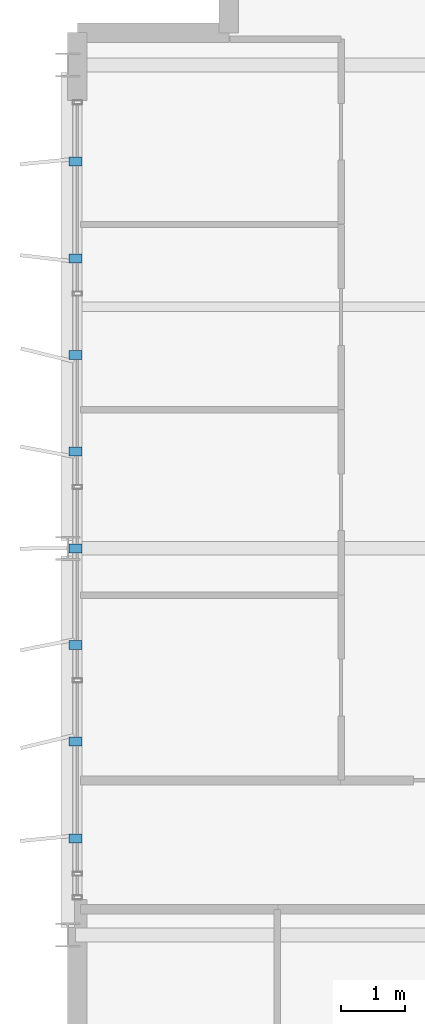
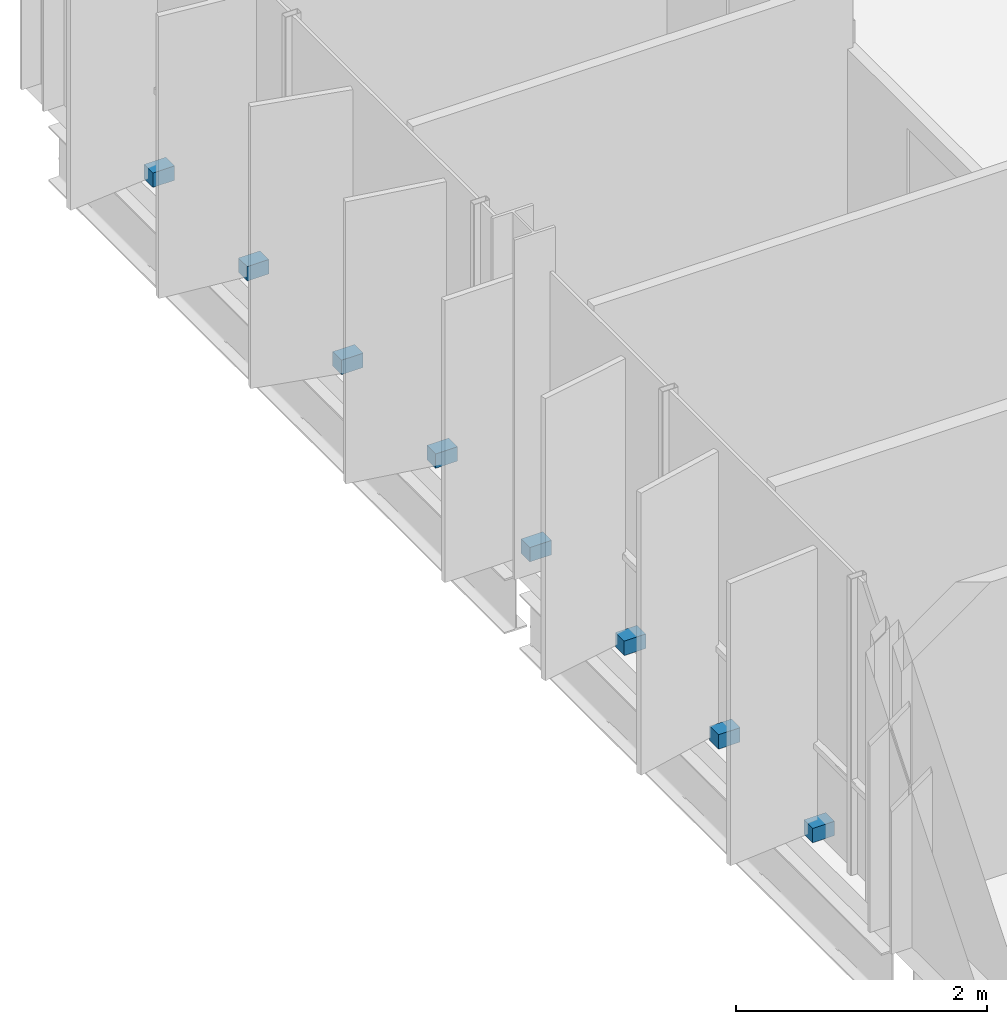
# One storey, part 27 of 30: 8 discrete accessories.
"""IFC4 building model written with IfcOpenShell, lengths in metres."""

from ifc_helpers import new_model, si_unit, direction, frame, origin, origin_2d, place, context, subcontext, project, spatial, rectangle, extrude, material, type_object, element, save


model = new_model("IFC4")

# Units and contexts
model_context = context("Model", 3, precision=1e-05, world=origin(), true_north=direction((0.0, 1.0)))
body_context = subcontext(model_context, "Body", "Model", "MODEL_VIEW")
ifc_project = project(units=[si_unit("LENGTHUNIT", "METRE"), si_unit("AREAUNIT", "SQUARE_METRE"), si_unit("VOLUMEUNIT", "CUBIC_METRE"), si_unit("PLANEANGLEUNIT", "RADIAN"), si_unit("MASSUNIT", "GRAM", prefix="KILO")], contexts=[model_context])

# Site, building, storey
site_placement = place(None, origin())
site = spatial("IfcSite", under=ifc_project, at=site_placement, CompositionType="ELEMENT")
building_placement = place(site_placement, origin())
building = spatial("IfcBuilding", under=site, at=building_placement, Name="Brevholm Reach", CompositionType="ELEMENT")
storey_placement = place(building_placement, frame((0.0, 0.0, 211.10009765625)))
storey = spatial("IfcBuildingStorey", under=building, at=storey_placement, Name="L64", CompositionType="ELEMENT", Elevation=211.10009765625)

# Discrete accessories
ifc_material = material(Name="Duplex Stainless Steel EN 1.4462", Category="steel")
discrete_accessory_type = type_object("IfcDiscreteAccessoryType", Name="ACC-BRK-01", PredefinedType="BRACKET", material=ifc_material)
for number, where, z_axis, x_axis, name in (
    (1, (0.1201171875, 11.5, 0.02978515625), (0.0, 0.0, 1.0), (-1.0, 0.0, 0.0), "L64 Solar Screen Support Bracket 1"),
    (2, (0.1201171875, 13.0, 0.02978515625), (0.0, 0.0, 1.0), (-1.0, 0.0, 0.0), "L64 Solar Screen Support Bracket 2"),
    (3, (0.1201171875, 14.5, 0.02978515625), (0.0, 0.0, 1.0), (-1.0, 0.0, 0.0), "L64 Solar Screen Support Bracket 3"),
    (4, (0.1201171875, 16.0, 0.02978515625), (0.0, 0.0, 1.0), (-1.0, 0.0, 0.0), "L64 Solar Screen Support Bracket 4"),
    (5, (0.1201171875, 17.5, 0.02978515625), (0.0, 0.0, 1.0), (-1.0, 0.0, 0.0), "L64 Solar Screen Support Bracket 5"),
    (6, (0.1201171875, 19.0, 0.02978515625), (0.0, 0.0, 1.0), (-1.0, 0.0, 0.0), "L64 Solar Screen Support Bracket 6"),
    (7, (0.1201171875, 20.5, 0.02978515625), (0.0, 0.0, 1.0), (-1.0, 0.0, 0.0), "L64 Solar Screen Support Bracket 7"),
    (8, (0.1201171875, 22.0, 0.02978515625), (0.0, 0.0, 1.0), (-1.0, 0.0, 0.0), "L64 Solar Screen Support Bracket 8"),
):
    element("IfcDiscreteAccessory", number, at=place(storey_placement, frame(where, z_axis=z_axis, x_axis=x_axis)), inside=storey, type_object=discrete_accessory_type, Name=name, PredefinedType="BRACKET", context=body_context, shape_type="SweptSolid", body=[
        extrude(rectangle(XDim=0.199951171875, YDim=0.139892578125, at=origin_2d()), origin(), (0.0, 0.0, 1.0), 0.139892578125),
    ])

save(model, "model.ifc")
